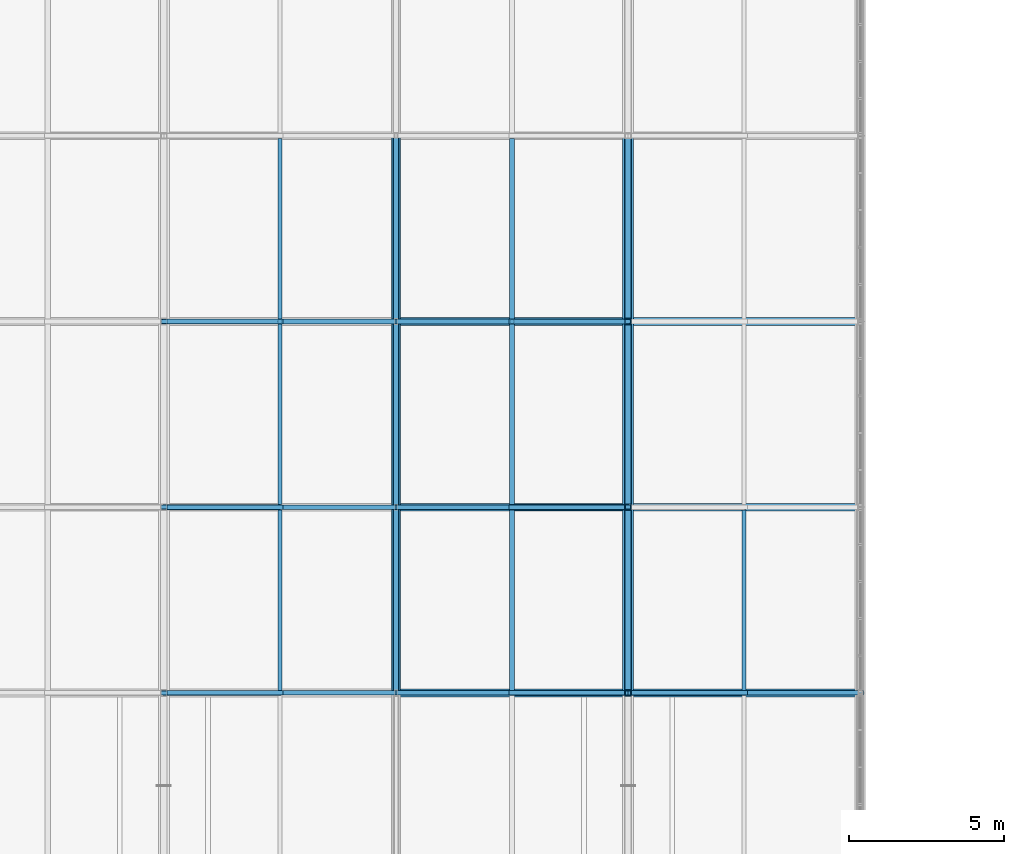
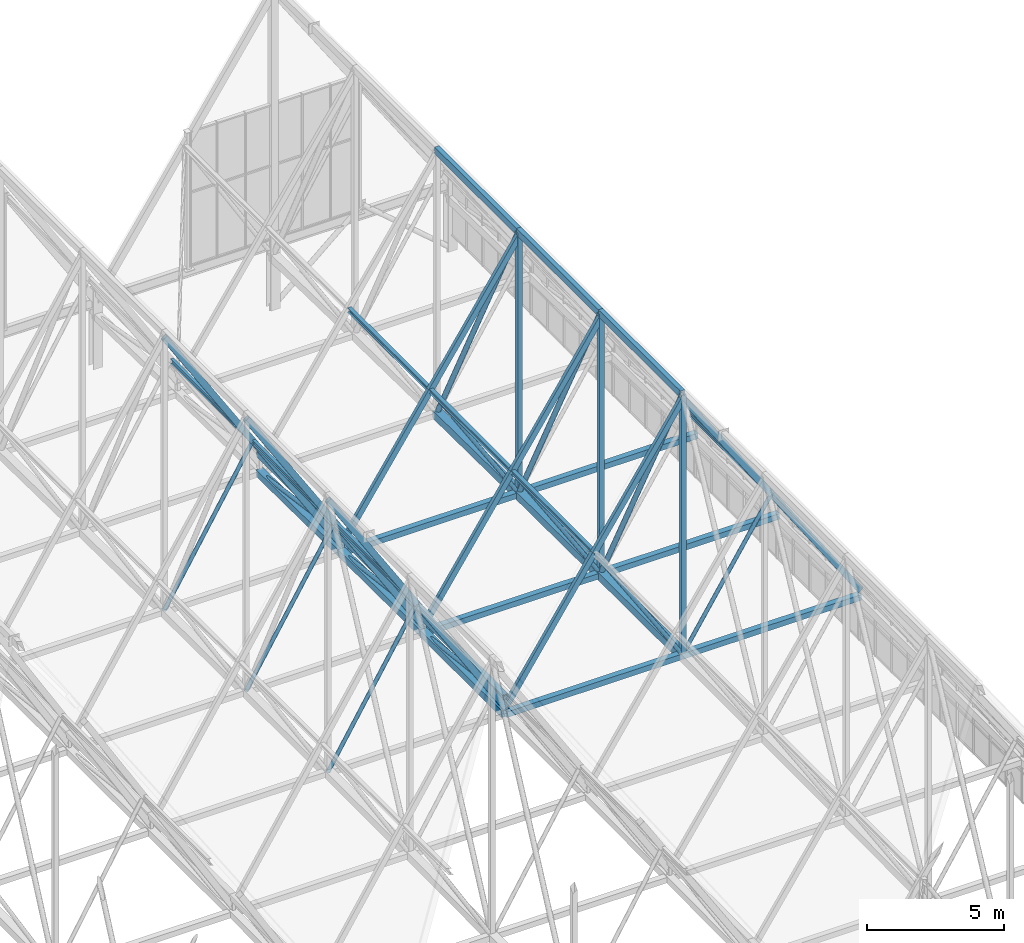
# One storey, part 229 of 324: 45 members, 7 beams.
"""IFC4 building model written with IfcOpenShell, lengths in metres."""

from ifc_helpers import new_model, si_unit, direction, frame, origin, origin_2d, place, context, subcontext, project, spatial, hollow_rectangle, hollow_circle, i_section, extrude, material, material_profile, profile_set, type_object, element, save


model = new_model("IFC4")

# Units and contexts
model_context = context("Model", 3, precision=1e-05, world=origin(), true_north=direction((0.0, 1.0)))
body_context = subcontext(model_context, "Body", "Model", "MODEL_VIEW")
ifc_project = project(units=[si_unit("LENGTHUNIT", "METRE"), si_unit("AREAUNIT", "SQUARE_METRE"), si_unit("VOLUMEUNIT", "CUBIC_METRE"), si_unit("PLANEANGLEUNIT", "RADIAN"), si_unit("MASSUNIT", "GRAM", prefix="KILO")], contexts=[model_context])

# Site, building, storey
site_placement = place(None, origin())
site = spatial("IfcSite", under=ifc_project, at=site_placement, CompositionType="ELEMENT")
building_placement = place(site_placement, origin())
building = spatial("IfcBuilding", under=site, at=building_placement, Name="Solvenia Promenade Tram Depot", CompositionType="ELEMENT")
storey_placement = place(building_placement, frame((0.0, 0.0, 4.5)))
storey = spatial("IfcBuildingStorey", under=building, at=storey_placement, Name="L01", CompositionType="ELEMENT", Elevation=4.5)

# Members
ifc_material_1 = material(Name="Structural steel ASTM A500 Gr. C", Category="steel")
ifc_material_profile_1 = material_profile(ifc_material_1, hollow_circle(Radius=0.109619140625, WallThickness=0.008056640625, at=origin_2d()), Name="CHS219.1x8", Category="steel")
ifc_profile_set_1 = profile_set([ifc_material_profile_1], Name="Structural steel ASTM A500 Gr. C")
member_type_1 = type_object("IfcMemberType", Name="Brace-CHS219x8", PredefinedType="BRACE", material=ifc_profile_set_1)
member_1_placement = place(storey_placement, frame((142.5, 102.0, 2.656005859375), z_axis=(0.0, -0.457277380329, 0.88932412395), x_axis=(1.0, 0.0, 0.0)))
element("IfcMember", 1, at=member_1_placement, inside=storey, type_object=member_type_1, Name="Arched Truss T20 Web Diagonal S06", PredefinedType="BRACE", context=body_context, shape_type="SweptSolid", body=[
    extrude(hollow_circle(Radius=0.109619140625, WallThickness=0.008056640625, at=origin_2d()), origin(), (0.0, 0.0, 1.0), 13.12109375),
])
member_2_placement = place(storey_placement, frame((142.5, 108.0, 2.614013671875), z_axis=(0.0, -0.455979110713, 0.889990477811), x_axis=(1.0, 0.0, 0.0)))
element("IfcMember", 2, at=member_2_placement, inside=storey, type_object=member_type_1, Name="Arched Truss T20 Web Diagonal S07", PredefinedType="BRACE", context=body_context, shape_type="SweptSolid", body=[
    extrude(hollow_circle(Radius=0.109619140625, WallThickness=0.008056640625, at=origin_2d()), origin(), (0.0, 0.0, 1.0), 13.158447265625),
])
member_3_placement = place(storey_placement, frame((142.5, 114.0, 2.5439453125), z_axis=(0.0, -0.453827022194, 0.891089801269), x_axis=(1.0, 0.0, 0.0)))
element("IfcMember", 3, at=member_3_placement, inside=storey, type_object=member_type_1, Name="Arched Truss T20 Web Diagonal S08", PredefinedType="BRACE", context=body_context, shape_type="SweptSolid", body=[
    extrude(hollow_circle(Radius=0.109619140625, WallThickness=0.008056640625, at=origin_2d()), origin(), (0.0, 0.0, 1.0), 13.220947265625),
])
ifc_material_profile_2 = material_profile(ifc_material_1, hollow_rectangle(XDim=0.14990234375, YDim=0.25, WallThickness=0.010009765625, at=origin_2d()), Name="HSS250x150x10", Category="steel")
ifc_profile_set_2 = profile_set([ifc_material_profile_2], Name="Structural steel ASTM A500 Gr. C")
member_type_2 = type_object("IfcMemberType", Name="Chord-HSS250x150x10", PredefinedType="CHORD", material=ifc_profile_set_2)
member_4_placement = place(storey_placement, frame((127.5, 96.0, 14.83251953125), z_axis=(0.533522444929, 0.0, -0.845785907164), x_axis=(0.0, 1.0, 0.0)))
element("IfcMember", 4, at=member_4_placement, inside=storey, type_object=member_type_2, Name="Zigzag Gable 09 East Upper Rafter", PredefinedType="CHORD", context=body_context, shape_type="SweptSolid", body=[
    extrude(hollow_rectangle(XDim=0.14990234375, YDim=0.25, WallThickness=0.010009765625, at=origin_2d()), origin(), (0.0, 0.0, 1.0), 7.02880859375),
])
member_5_placement = place(storey_placement, frame((131.25, 96.0, 8.8876953125), z_axis=(0.533506771487, 0.0, -0.845795793781), x_axis=(0.0, 1.0, 0.0)))
element("IfcMember", 5, at=member_5_placement, inside=storey, type_object=member_type_2, Name="Zigzag Gable 09 East Lower Rafter", PredefinedType="CHORD", context=body_context, shape_type="SweptSolid", body=[
    extrude(hollow_rectangle(XDim=0.14990234375, YDim=0.25, WallThickness=0.010009765625, at=origin_2d()), origin(), (0.0, 0.0, 1.0), 7.029052734375),
])
member_6_placement = place(storey_placement, frame((127.5, 102.0, 14.83251953125), z_axis=(0.533522444929, 0.0, -0.845785907164), x_axis=(0.0, 1.0, 0.0)))
element("IfcMember", 6, at=member_6_placement, inside=storey, type_object=member_type_2, Name="Zigzag Gable 09 East Upper Rafter", PredefinedType="CHORD", context=body_context, shape_type="SweptSolid", body=[
    extrude(hollow_rectangle(XDim=0.14990234375, YDim=0.25, WallThickness=0.010009765625, at=origin_2d()), origin(), (0.0, 0.0, 1.0), 7.02880859375),
])
member_7_placement = place(storey_placement, frame((131.25, 102.0, 8.8876953125), z_axis=(0.533506771487, 0.0, -0.845795793781), x_axis=(0.0, 1.0, 0.0)))
element("IfcMember", 7, at=member_7_placement, inside=storey, type_object=member_type_2, Name="Zigzag Gable 09 East Lower Rafter", PredefinedType="CHORD", context=body_context, shape_type="SweptSolid", body=[
    extrude(hollow_rectangle(XDim=0.14990234375, YDim=0.25, WallThickness=0.010009765625, at=origin_2d()), origin(), (0.0, 0.0, 1.0), 7.029052734375),
])
member_8_placement = place(storey_placement, frame((127.5, 108.0, 14.83251953125), z_axis=(0.533522444929, 0.0, -0.845785907164), x_axis=(0.0, 1.0, 0.0)))
element("IfcMember", 8, at=member_8_placement, inside=storey, type_object=member_type_2, Name="Zigzag Gable 09 East Upper Rafter", PredefinedType="CHORD", context=body_context, shape_type="SweptSolid", body=[
    extrude(hollow_rectangle(XDim=0.14990234375, YDim=0.25, WallThickness=0.010009765625, at=origin_2d()), origin(), (0.0, 0.0, 1.0), 7.02880859375),
])
member_9_placement = place(storey_placement, frame((131.25, 108.0, 8.8876953125), z_axis=(0.533506771487, 0.0, -0.845795793781), x_axis=(0.0, 1.0, 0.0)))
element("IfcMember", 9, at=member_9_placement, inside=storey, type_object=member_type_2, Name="Zigzag Gable 09 East Lower Rafter", PredefinedType="CHORD", context=body_context, shape_type="SweptSolid", body=[
    extrude(hollow_rectangle(XDim=0.14990234375, YDim=0.25, WallThickness=0.010009765625, at=origin_2d()), origin(), (0.0, 0.0, 1.0), 7.029052734375),
])
for number, where, z_axis, x_axis, name in (
    (10, (135.0, 96.0, 2.95703125), (0.557276274528, 0.0, 0.830327136644), (0.0, 1.0, 0.0), "Zigzag Gable 10 West Lower Rafter"),
    (11, (138.75, 96.0, 8.54443359375), (0.557259486914, 0.0, 0.83033840345), (0.0, 1.0, 0.0), "Zigzag Gable 10 West Upper Rafter"),
    (12, (142.5, 96.0, 14.132080078125), (0.557259486914, 0.0, -0.83033840345), (0.0, 1.0, 0.0), "Zigzag Gable 10 East Upper Rafter"),
    (13, (146.25, 96.0, 8.54443359375), (0.557276274528, 0.0, -0.830327136644), (0.0, 1.0, 0.0), "Zigzag Gable 10 East Lower Rafter"),
    (14, (135.0, 102.0, 2.95703125), (0.557276274528, 0.0, 0.830327136644), (0.0, 1.0, 0.0), "Zigzag Gable 10 West Lower Rafter"),
    (15, (138.75, 102.0, 8.54443359375), (0.557259486914, 0.0, 0.83033840345), (0.0, 1.0, 0.0), "Zigzag Gable 10 West Upper Rafter"),
    (16, (135.0, 108.0, 2.95703125), (0.557276274528, 0.0, 0.830327136644), (0.0, 1.0, 0.0), "Zigzag Gable 10 West Lower Rafter"),
    (17, (138.75, 108.0, 8.54443359375), (0.557259486914, 0.0, 0.83033840345), (0.0, 1.0, 0.0), "Zigzag Gable 10 West Upper Rafter"),
):
    element("IfcMember", number, at=place(storey_placement, frame(where, z_axis=z_axis, x_axis=x_axis)), inside=storey, type_object=member_type_2, Name=name, PredefinedType="CHORD", context=body_context, shape_type="SweptSolid", body=[
        extrude(hollow_rectangle(XDim=0.14990234375, YDim=0.25, WallThickness=0.010009765625, at=origin_2d()), origin(), (0.0, 0.0, 1.0), 6.729248046875),
    ])
ifc_material_profile_3 = material_profile(ifc_material_1, hollow_rectangle(XDim=0.25, YDim=0.25, WallThickness=0.010009765625, at=origin_2d()), Name="HSS250x250x10", Category="steel")
ifc_profile_set_3 = profile_set([ifc_material_profile_3], Name="Structural steel ASTM A500 Gr. C")
member_type_3 = type_object("IfcMemberType", Name="Chord-HSS250x250x10", PredefinedType="CHORD", material=ifc_profile_set_3)
for number, where, z_axis, x_axis, name in (
    (18, (135.0, 96.0, 3.3798828125), (0.0, 1.0, 0.0), (-1.0, 0.0, 0.0), "Arched Truss T19 Upper Chord S06"),
    (19, (135.0, 102.0, 3.3798828125), (0.0, 1.0, 0.0), (-1.0, 0.0, 0.0), "Arched Truss T19 Upper Chord S07"),
    (20, (135.0, 108.0, 3.3798828125), (0.0, 1.0, 0.0), (-1.0, 0.0, 0.0), "Arched Truss T19 Upper Chord S08"),
):
    element("IfcMember", number, at=place(storey_placement, frame(where, z_axis=z_axis, x_axis=x_axis)), inside=storey, type_object=member_type_3, Name=name, PredefinedType="CHORD", context=body_context, shape_type="SweptSolid", body=[
        extrude(hollow_rectangle(XDim=0.25, YDim=0.25, WallThickness=0.010009765625, at=origin_2d()), origin(), (0.0, 0.0, 1.0), 6.0),
    ])
for number, where, z_axis, x_axis, name in (
    (21, (135.0, 96.0, 2.669921875), (1.0, 0.0, 0.0), (0.0, 1.0, 0.0), "Bottom-Chord Catenary Lateral Tie 086"),
    (22, (135.0, 102.0, 2.656005859375), (1.0, 0.0, 0.0), (0.0, 1.0, 0.0), "Bottom-Chord Catenary Lateral Tie 087"),
    (23, (135.0, 108.0, 2.614013671875), (1.0, 0.0, 0.0), (0.0, 1.0, 0.0), "Bottom-Chord Catenary Lateral Tie 088"),
):
    element("IfcMember", number, at=place(storey_placement, frame(where, z_axis=z_axis, x_axis=x_axis)), inside=storey, type_object=member_type_3, Name=name, PredefinedType="CHORD", context=body_context, shape_type="SweptSolid", body=[
        extrude(hollow_rectangle(XDim=0.25, YDim=0.25, WallThickness=0.010009765625, at=origin_2d()), origin(), (0.0, 0.0, 1.0), 15.0),
    ])
ifc_material_profile_4 = material_profile(ifc_material_1, hollow_rectangle(XDim=0.199951171875, YDim=0.300048828125, WallThickness=0.012451171875, at=origin_2d()), Name="HSS300x200x12.5", Category="steel")
ifc_profile_set_4 = profile_set([ifc_material_profile_4], Name="Structural steel ASTM A500 Gr. C")
member_type_4 = type_object("IfcMemberType", Name="Chord-HSS300x200x12", PredefinedType="CHORD", material=ifc_profile_set_4)
for number, where, z_axis, x_axis, name in (
    (24, (142.5, 96.0, 14.324951171875), (0.0, 1.0, 0.0), (-1.0, 0.0, 0.0), "Arched Truss T20 Upper Chord S06"),
    (25, (142.5, 102.0, 14.324951171875), (0.0, 1.0, 0.0), (-1.0, 0.0, 0.0), "Arched Truss T20 Upper Chord S07"),
    (26, (142.5, 108.0, 14.324951171875), (0.0, 1.0, 0.0), (-1.0, 0.0, 0.0), "Arched Truss T20 Upper Chord S08"),
):
    element("IfcMember", number, at=place(storey_placement, frame(where, z_axis=z_axis, x_axis=x_axis)), inside=storey, type_object=member_type_4, Name=name, PredefinedType="CHORD", context=body_context, shape_type="SweptSolid", body=[
        extrude(hollow_rectangle(XDim=0.199951171875, YDim=0.300048828125, WallThickness=0.012451171875, at=origin_2d()), origin(), (0.0, 0.0, 1.0), 6.0),
    ])
ifc_material_profile_5 = material_profile(ifc_material_1, hollow_rectangle(XDim=0.300048828125, YDim=0.300048828125, WallThickness=0.012451171875, at=origin_2d()), Name="HSS300x300x12.5", Category="steel")
ifc_profile_set_5 = profile_set([ifc_material_profile_5], Name="Structural steel ASTM A500 Gr. C")
member_type_5 = type_object("IfcMemberType", Name="Chord-HSS300x300x12", PredefinedType="CHORD", material=ifc_profile_set_5)
member_10_placement = place(storey_placement, frame((135.0, 96.0, 2.669921875), z_axis=(0.0, 0.999997310351, -0.002319329699), x_axis=(-1.0, 0.0, 0.0)))
element("IfcMember", 27, at=member_10_placement, inside=storey, type_object=member_type_5, Name="Arched Truss T19 Bottom Chord S06", PredefinedType="CHORD", context=body_context, shape_type="SweptSolid", body=[
    extrude(hollow_rectangle(XDim=0.300048828125, YDim=0.300048828125, WallThickness=0.012451171875, at=origin_2d()), origin(), (0.0, 0.0, 1.0), 6.0),
])
member_11_placement = place(storey_placement, frame((135.0, 102.0, 2.656005859375), z_axis=(0.0, 0.999975510013, -0.006998526519), x_axis=(-1.0, 0.0, 0.0)))
element("IfcMember", 28, at=member_11_placement, inside=storey, type_object=member_type_5, Name="Arched Truss T19 Bottom Chord S07", PredefinedType="CHORD", context=body_context, shape_type="SweptSolid", body=[
    extrude(hollow_rectangle(XDim=0.300048828125, YDim=0.300048828125, WallThickness=0.012451171875, at=origin_2d()), origin(), (0.0, 0.0, 1.0), 6.000244140625),
])
member_12_placement = place(storey_placement, frame((135.0, 108.0, 2.614013671875), z_axis=(0.0, 0.999931818432, -0.011677263667), x_axis=(-1.0, 0.0, 0.0)))
element("IfcMember", 29, at=member_12_placement, inside=storey, type_object=member_type_5, Name="Arched Truss T19 Bottom Chord S08", PredefinedType="CHORD", context=body_context, shape_type="SweptSolid", body=[
    extrude(hollow_rectangle(XDim=0.300048828125, YDim=0.300048828125, WallThickness=0.012451171875, at=origin_2d()), origin(), (0.0, 0.0, 1.0), 6.00048828125),
])
ifc_material_profile_6 = material_profile(ifc_material_1, hollow_rectangle(XDim=0.35009765625, YDim=0.35009765625, WallThickness=0.01611328125, at=origin_2d()), Name="HSS350x350x16", Category="steel")
ifc_profile_set_6 = profile_set([ifc_material_profile_6], Name="Structural steel ASTM A500 Gr. C")
member_type_6 = type_object("IfcMemberType", Name="Chord-HSS350x350x16", PredefinedType="CHORD", material=ifc_profile_set_6)
member_13_placement = place(storey_placement, frame((142.5, 96.0, 2.669921875), z_axis=(0.0, 0.999997310351, -0.002319329699), x_axis=(-1.0, 0.0, 0.0)))
element("IfcMember", 30, at=member_13_placement, inside=storey, type_object=member_type_6, Name="Arched Truss T20 Bottom Chord S06", PredefinedType="CHORD", context=body_context, shape_type="SweptSolid", body=[
    extrude(hollow_rectangle(XDim=0.35009765625, YDim=0.35009765625, WallThickness=0.01611328125, at=origin_2d()), origin(), (0.0, 0.0, 1.0), 6.0),
])
member_14_placement = place(storey_placement, frame((142.5, 102.0, 2.656005859375), z_axis=(0.0, 0.999975510013, -0.006998526519), x_axis=(-1.0, 0.0, 0.0)))
element("IfcMember", 31, at=member_14_placement, inside=storey, type_object=member_type_6, Name="Arched Truss T20 Bottom Chord S07", PredefinedType="CHORD", context=body_context, shape_type="SweptSolid", body=[
    extrude(hollow_rectangle(XDim=0.35009765625, YDim=0.35009765625, WallThickness=0.01611328125, at=origin_2d()), origin(), (0.0, 0.0, 1.0), 6.000244140625),
])
member_15_placement = place(storey_placement, frame((142.5, 108.0, 2.614013671875), z_axis=(0.0, 0.999931818432, -0.011677263667), x_axis=(-1.0, 0.0, 0.0)))
element("IfcMember", 32, at=member_15_placement, inside=storey, type_object=member_type_6, Name="Arched Truss T20 Bottom Chord S08", PredefinedType="CHORD", context=body_context, shape_type="SweptSolid", body=[
    extrude(hollow_rectangle(XDim=0.35009765625, YDim=0.35009765625, WallThickness=0.01611328125, at=origin_2d()), origin(), (0.0, 0.0, 1.0), 6.00048828125),
])
ifc_material_profile_7 = material_profile(ifc_material_1, hollow_rectangle(XDim=0.199951171875, YDim=0.199951171875, WallThickness=0.010009765625, at=origin_2d()), Name="HSS200x200x10", Category="steel")
ifc_profile_set_7 = profile_set([ifc_material_profile_7], Name="Structural steel ASTM A500 Gr. C")
member_type_7 = type_object("IfcMemberType", Name="Post-HSS200x200x10", PredefinedType="POST", material=ifc_profile_set_7)
member_16_placement = place(storey_placement, frame((142.5, 96.0, 2.669921875), z_axis=(0.0, 0.0, 1.0), x_axis=(1.0, 0.0, 0.0)))
element("IfcMember", 33, at=member_16_placement, inside=storey, type_object=member_type_7, Name="Arched Truss T20 Web Post S05", PredefinedType="POST", context=body_context, shape_type="SweptSolid", body=[
    extrude(hollow_rectangle(XDim=0.199951171875, YDim=0.199951171875, WallThickness=0.010009765625, at=origin_2d()), origin(), (0.0, 0.0, 1.0), 11.655029296875),
])
member_17_placement = place(storey_placement, frame((142.5, 102.0, 2.656005859375), z_axis=(0.0, 0.0, 1.0), x_axis=(1.0, 0.0, 0.0)))
element("IfcMember", 34, at=member_17_placement, inside=storey, type_object=member_type_7, Name="Arched Truss T20 Web Post S06", PredefinedType="POST", context=body_context, shape_type="SweptSolid", body=[
    extrude(hollow_rectangle(XDim=0.199951171875, YDim=0.199951171875, WallThickness=0.010009765625, at=origin_2d()), origin(), (0.0, 0.0, 1.0), 11.6689453125),
])
member_18_placement = place(storey_placement, frame((142.5, 108.0, 2.614013671875), z_axis=(0.0, 0.0, 1.0), x_axis=(1.0, 0.0, 0.0)))
element("IfcMember", 35, at=member_18_placement, inside=storey, type_object=member_type_7, Name="Arched Truss T20 Web Post S07", PredefinedType="POST", context=body_context, shape_type="SweptSolid", body=[
    extrude(hollow_rectangle(XDim=0.199951171875, YDim=0.199951171875, WallThickness=0.010009765625, at=origin_2d()), origin(), (0.0, 0.0, 1.0), 11.7109375),
])

# Beams
ifc_material_2 = material(Name="Structural steel ASTM A992 Gr. 50", Category="steel")
ifc_material_profile_8 = material_profile(ifc_material_2, i_section(OverallWidth=0.133056640625, OverallDepth=0.20703125, WebThickness=0.005859375, FlangeThickness=0.00830078125, FilletRadius=0.009033203125, at=origin_2d()), Name="W200x27", Category="steel")
ifc_profile_set_8 = profile_set([ifc_material_profile_8], Name="Structural steel ASTM A992 Gr. 50")
beam_type_1 = type_object("IfcBeamType", Name="Purlin-W200x27", PredefinedType="USERDEFINED", material=ifc_profile_set_8)
for number, where, z_axis, x_axis, name in (
    (36, (131.25, 96.0849609375, 8.8857421875), (0.0, 1.0, 0.0), (-1.0, 0.0, 0.0), "Gable Roof Purlin E-0172"),
    (37, (131.25, 102.0849609375, 8.8857421875), (0.0, 1.0, 0.0), (-1.0, 0.0, 0.0), "Gable Roof Purlin E-0174"),
    (38, (131.25, 108.0849609375, 8.8857421875), (0.0, 1.0, 0.0), (-1.0, 0.0, 0.0), "Gable Roof Purlin E-0176"),
    (39, (146.25, 96.0849609375, 8.551025390625), (0.0, 1.0, 0.0), (-1.0, 0.0, 0.0), "Gable Roof Purlin E-0192"),
):
    element("IfcBeam", number, at=place(storey_placement, frame(where, z_axis=z_axis, x_axis=x_axis)), inside=storey, type_object=beam_type_1, Name=name, ObjectType="PURLIN", PredefinedType="USERDEFINED", context=body_context, shape_type="SweptSolid", body=[
        extrude(i_section(OverallWidth=0.133056640625, OverallDepth=0.20703125, WebThickness=0.005859375, FlangeThickness=0.00830078125, FilletRadius=0.009033203125, at=origin_2d()), origin(), (0.0, 0.0, 1.0), 5.830078125),
    ])
ifc_material_profile_9 = material_profile(ifc_material_2, i_section(OverallWidth=0.1650390625, OverallDepth=0.200927734375, WebThickness=0.006103515625, FlangeThickness=0.01025390625, FilletRadius=0.010009765625, at=origin_2d()), Name="W200x36", Category="steel")
ifc_profile_set_9 = profile_set([ifc_material_profile_9], Name="Structural steel ASTM A992 Gr. 50")
beam_type_2 = type_object("IfcBeamType", Name="Purlin-W200x36", PredefinedType="USERDEFINED", material=ifc_profile_set_9)
for number, where, z_axis, x_axis, name in (
    (40, (138.75, 96.0849609375, 8.551025390625), (0.0, 1.0, 0.0), (-1.0, 0.0, 0.0), "Gable Roof Purlin W-0191"),
    (41, (138.75, 102.0849609375, 8.551025390625), (0.0, 1.0, 0.0), (-1.0, 0.0, 0.0), "Gable Roof Purlin W-0193"),
    (42, (138.75, 108.0849609375, 8.551025390625), (0.0, 1.0, 0.0), (-1.0, 0.0, 0.0), "Gable Roof Purlin W-0195"),
):
    element("IfcBeam", number, at=place(storey_placement, frame(where, z_axis=z_axis, x_axis=x_axis)), inside=storey, type_object=beam_type_2, Name=name, ObjectType="PURLIN", PredefinedType="USERDEFINED", context=body_context, shape_type="SweptSolid", body=[
        extrude(i_section(OverallWidth=0.1650390625, OverallDepth=0.200927734375, WebThickness=0.006103515625, FlangeThickness=0.01025390625, FilletRadius=0.010009765625, at=origin_2d()), origin(), (0.0, 0.0, 1.0), 5.830078125),
    ])

# Members
ifc_material_profile_10 = material_profile(ifc_material_1, hollow_circle(Radius=0.084228515625, WallThickness=0.008056640625, at=origin_2d()), Name="CHS168.3x8", Category="steel")
ifc_profile_set_10 = profile_set([ifc_material_profile_10], Name="Structural steel ASTM A500 Gr. C")
member_type_8 = type_object("IfcMemberType", Name="WebDiag-CHS168x8", PredefinedType="BRACE", material=ifc_profile_set_10)
member_19_placement = place(storey_placement, frame((135.0, 102.0, 2.656005859375), z_axis=(0.0, -0.992800749036, 0.119777596879), x_axis=(1.0, 0.0, 0.0)))
element("IfcMember", 43, at=member_19_placement, inside=storey, type_object=member_type_8, Name="Arched Truss T19 Web Diagonal S06", PredefinedType="BRACE", context=body_context, shape_type="SweptSolid", body=[
    extrude(hollow_circle(Radius=0.084228515625, WallThickness=0.008056640625, at=origin_2d()), origin(), (0.0, 0.0, 1.0), 6.04345703125),
])
member_20_placement = place(storey_placement, frame((135.0, 108.0, 2.614013671875), z_axis=(0.0, -0.991951613347, 0.126617521609), x_axis=(1.0, 0.0, 0.0)))
element("IfcMember", 44, at=member_20_placement, inside=storey, type_object=member_type_8, Name="Arched Truss T19 Web Diagonal S07", PredefinedType="BRACE", context=body_context, shape_type="SweptSolid", body=[
    extrude(hollow_circle(Radius=0.084228515625, WallThickness=0.008056640625, at=origin_2d()), origin(), (0.0, 0.0, 1.0), 6.048583984375),
])
member_21_placement = place(storey_placement, frame((135.0, 114.0, 2.5439453125), z_axis=(0.0, -0.990433608353, 0.13799009908), x_axis=(1.0, 0.0, 0.0)))
element("IfcMember", 45, at=member_21_placement, inside=storey, type_object=member_type_8, Name="Arched Truss T19 Web Diagonal S08", PredefinedType="BRACE", context=body_context, shape_type="SweptSolid", body=[
    extrude(hollow_circle(Radius=0.084228515625, WallThickness=0.008056640625, at=origin_2d()), origin(), (0.0, 0.0, 1.0), 6.057861328125),
])
member_22_placement = place(storey_placement, frame((127.5, 96.0, 2.669921875), z_axis=(0.516452471472, 0.0, 0.856315855693), x_axis=(0.0, 1.0, 0.0)))
element("IfcMember", 46, at=member_22_placement, inside=storey, type_object=member_type_8, Name="Zigzag Gable 09 East Knee Strut", PredefinedType="BRACE", context=body_context, shape_type="SweptSolid", body=[
    extrude(hollow_circle(Radius=0.084228515625, WallThickness=0.008056640625, at=origin_2d()), origin(), (0.0, 0.0, 1.0), 7.260986328125),
])
member_23_placement = place(storey_placement, frame((127.5, 102.0, 2.656005859375), z_axis=(0.515606033045, 0.0, 0.856825780826), x_axis=(0.0, 1.0, 0.0)))
element("IfcMember", 47, at=member_23_placement, inside=storey, type_object=member_type_8, Name="Zigzag Gable 09 East Knee Strut", PredefinedType="BRACE", context=body_context, shape_type="SweptSolid", body=[
    extrude(hollow_circle(Radius=0.084228515625, WallThickness=0.008056640625, at=origin_2d()), origin(), (0.0, 0.0, 1.0), 7.27294921875),
])
member_24_placement = place(storey_placement, frame((127.5, 108.0, 2.614013671875), z_axis=(0.513065601132, 0.0, 0.858349397935), x_axis=(0.0, 1.0, 0.0)))
element("IfcMember", 48, at=member_24_placement, inside=storey, type_object=member_type_8, Name="Zigzag Gable 09 East Knee Strut", PredefinedType="BRACE", context=body_context, shape_type="SweptSolid", body=[
    extrude(hollow_circle(Radius=0.084228515625, WallThickness=0.008056640625, at=origin_2d()), origin(), (0.0, 0.0, 1.0), 7.30908203125),
])
for number, where, z_axis, x_axis, name in (
    (49, (142.5, 96.0, 2.669921875), (-0.538067226673, 0.0, 0.842901927617), (0.0, -1.0, 0.0), "Zigzag Gable 10 West Knee Strut"),
    (50, (142.5, 96.0, 2.669921875), (0.538067226673, 0.0, 0.842901927617), (0.0, 1.0, 0.0), "Zigzag Gable 10 East Knee Strut"),
):
    element("IfcMember", number, at=place(storey_placement, frame(where, z_axis=z_axis, x_axis=x_axis)), inside=storey, type_object=member_type_8, Name=name, PredefinedType="BRACE", context=body_context, shape_type="SweptSolid", body=[
        extrude(hollow_circle(Radius=0.084228515625, WallThickness=0.008056640625, at=origin_2d()), origin(), (0.0, 0.0, 1.0), 6.969482421875),
    ])
member_25_placement = place(storey_placement, frame((142.5, 102.0, 2.656005859375), z_axis=(-0.537162844813, 0.0, 0.843478558206), x_axis=(0.0, -1.0, 0.0)))
element("IfcMember", 51, at=member_25_placement, inside=storey, type_object=member_type_8, Name="Zigzag Gable 10 West Knee Strut", PredefinedType="BRACE", context=body_context, shape_type="SweptSolid", body=[
    extrude(hollow_circle(Radius=0.084228515625, WallThickness=0.008056640625, at=origin_2d()), origin(), (0.0, 0.0, 1.0), 6.981201171875),
])
member_26_placement = place(storey_placement, frame((142.5, 108.0, 2.614013671875), z_axis=(-0.534448484902, 0.0, 0.845201051221), x_axis=(0.0, -1.0, 0.0)))
element("IfcMember", 52, at=member_26_placement, inside=storey, type_object=member_type_8, Name="Zigzag Gable 10 West Knee Strut", PredefinedType="BRACE", context=body_context, shape_type="SweptSolid", body=[
    extrude(hollow_circle(Radius=0.084228515625, WallThickness=0.008056640625, at=origin_2d()), origin(), (0.0, 0.0, 1.0), 7.0166015625),
])

save(model, "model.ifc")
